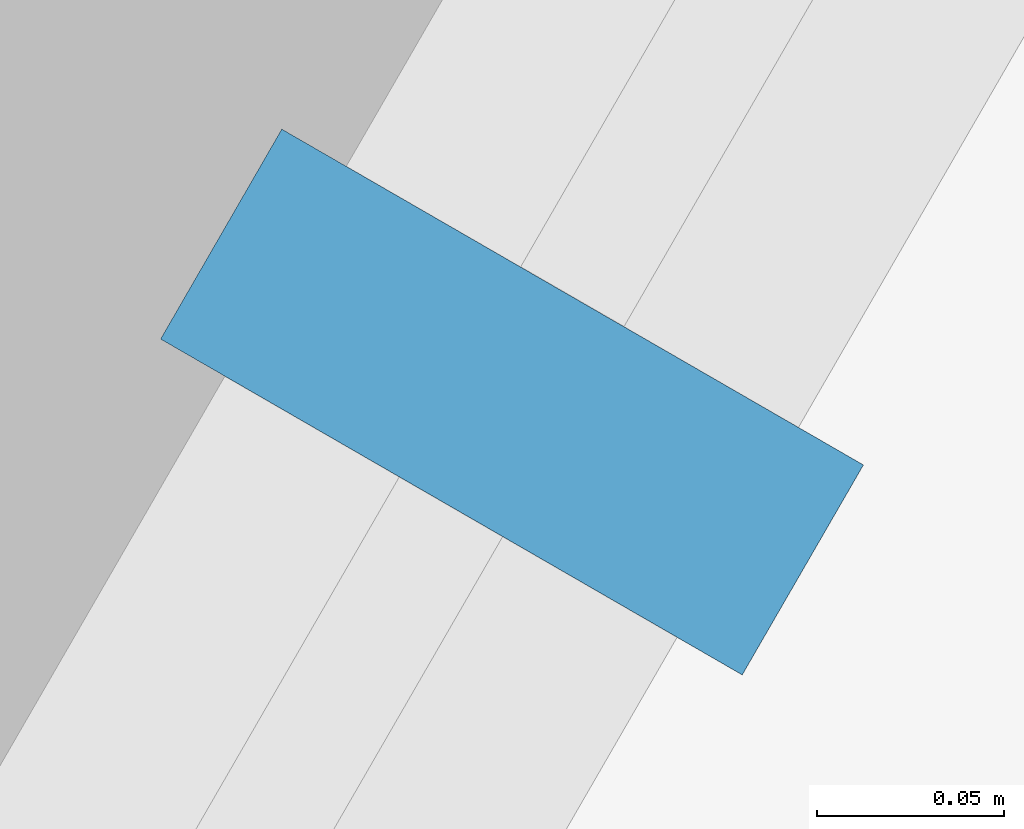
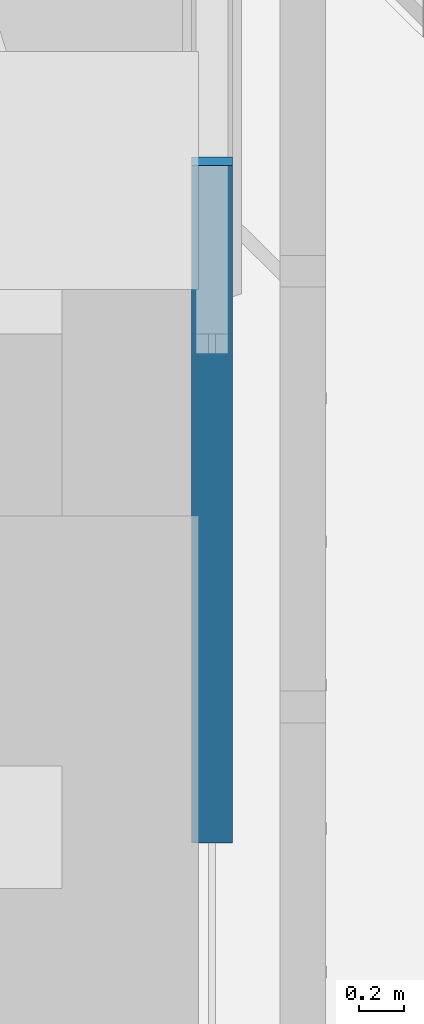
# One storey, part 117 of 238: 1 member, 1 element without a shape of its own.
"""IFC4 building model written with IfcOpenShell, lengths in metres."""

from ifc_helpers import new_model, si_unit, direction, frame, origin, origin_2d, place, context, subcontext, project, spatial, rectangle, extrude, material, material_profile, profile_set, type_object, element, aggregate, save


model = new_model("IFC4")

# Units and contexts
model_context = context("Model", 3, precision=1e-05, world=origin(), true_north=direction((0.0, 1.0)))
body_context = subcontext(model_context, "Body", "Model", "MODEL_VIEW")
ifc_project = project(units=[si_unit("LENGTHUNIT", "METRE"), si_unit("AREAUNIT", "SQUARE_METRE"), si_unit("VOLUMEUNIT", "CUBIC_METRE"), si_unit("PLANEANGLEUNIT", "RADIAN"), si_unit("MASSUNIT", "GRAM", prefix="KILO")], contexts=[model_context])

# Site, building, storey
site_placement = place(None, origin())
site = spatial("IfcSite", under=ifc_project, at=site_placement, CompositionType="ELEMENT")
building_placement = place(site_placement, origin())
building = spatial("IfcBuilding", under=site, at=building_placement, Name="Sandreach Pilgrim Tower", CompositionType="ELEMENT")
storey_placement = place(building_placement, frame((0.0, 0.0, 96.800048828125)))
storey = spatial("IfcBuildingStorey", under=building, at=storey_placement, Name="L23", CompositionType="ELEMENT", Elevation=96.800048828125)

# Curtain wall, member
ifc_material_1 = material(Name="Aluminium framed curtain wall", Category="aluminium")
curtain_wall_type = type_object("IfcCurtainWallType", Name="Hotel tower curtain wall", PredefinedType="NOTDEFINED", material=ifc_material_1)
curtain_wall_placement = place(storey_placement, origin())
curtain_wall = element("IfcCurtainWall", 1, at=curtain_wall_placement, inside=storey, type_object=curtain_wall_type, Name="CW-2 L23 SE", PredefinedType="NOTDEFINED")
ifc_material_2 = material(Name="Aluminium extrusion", Category="aluminium")
ifc_material_profile = material_profile(ifc_material_2, rectangle(XDim=0.06494140625, YDim=0.179931640625, at=origin_2d()), Name="CW-2M 65X180")
ifc_profile_set = profile_set([ifc_material_profile], Name="Aluminium extrusion")
member_type = type_object("IfcMemberType", Name="CW-2 mullion", PredefinedType="MULLION", material=ifc_profile_set)
member_placement = place(storey_placement, frame((26.66748046875, 1.20166015625, 0.0), z_axis=(0.0, 0.0, 1.0), x_axis=(-0.5, -0.866025403784, 0.0)))
member = element("IfcMember", 2, at=member_placement, type_object=member_type, Name="CW-2 mullion 2", PredefinedType="MULLION", context=body_context, shape_type="SweptSolid", body=[
    extrude(rectangle(XDim=0.06494140625, YDim=0.179931640625, at=origin_2d()), origin(), (0.0, 0.0, 1.0), 3.639892578125),
])
aggregate(curtain_wall, [member])

save(model, "model.ifc")
